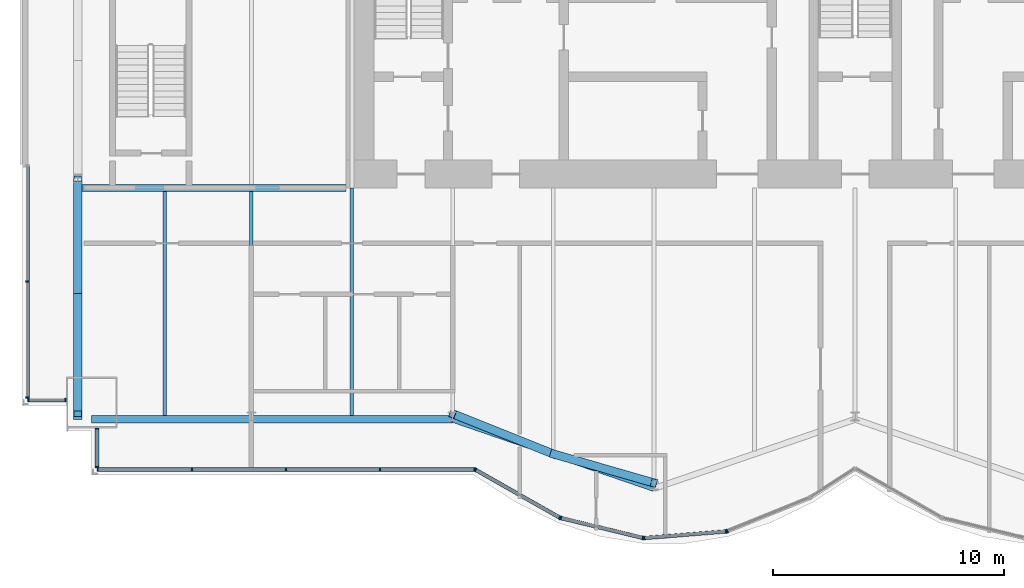
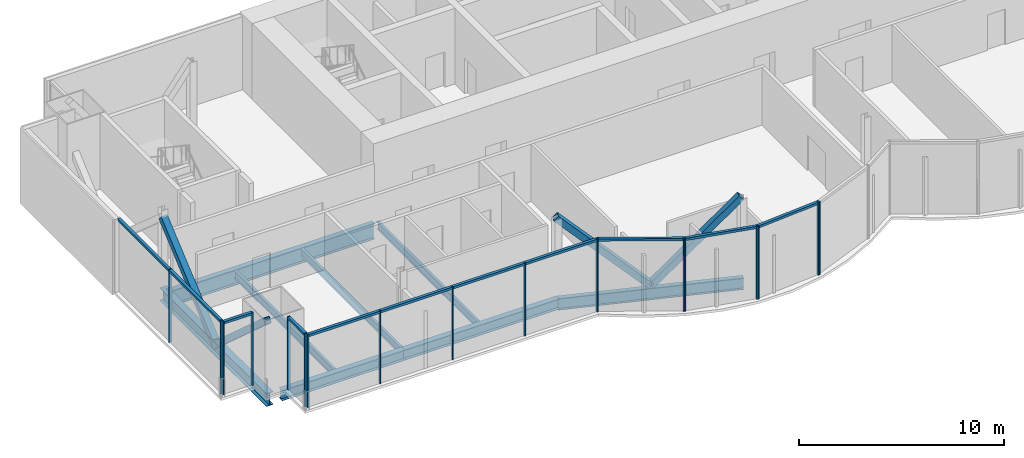
# One storey, part 3 of 16: 33 members, 8 beams, 5 elements without a shape of their own.
"""IFC4 building model written with IfcOpenShell, lengths in metres."""

from ifc_helpers import new_model, si_unit, direction, frame, origin, origin_2d, place, context, subcontext, project, spatial, rectangle, hollow_rectangle, i_section, extrude, material, material_profile, profile_set, type_object, element, aggregate, save


model = new_model("IFC4")

# Units and contexts
model_context = context("Model", 3, precision=1e-05, world=origin(), true_north=direction((0.0, 1.0)))
body_context = subcontext(model_context, "Body", "Model", "MODEL_VIEW")
ifc_project = project(units=[si_unit("LENGTHUNIT", "METRE"), si_unit("AREAUNIT", "SQUARE_METRE"), si_unit("VOLUMEUNIT", "CUBIC_METRE"), si_unit("PLANEANGLEUNIT", "RADIAN"), si_unit("MASSUNIT", "GRAM", prefix="KILO")], contexts=[model_context])

# Site, building, storey
site_placement = place(None, origin())
site = spatial("IfcSite", under=ifc_project, at=site_placement, CompositionType="ELEMENT")
building_placement = place(site_placement, origin())
building = spatial("IfcBuilding", under=site, at=building_placement, Name="Bicima Exchange Tower", CompositionType="ELEMENT")
storey_placement = place(building_placement, frame((0.0, 0.0, 329.0)))
storey = spatial("IfcBuildingStorey", under=building, at=storey_placement, Name="L74", CompositionType="ELEMENT", Elevation=329.0)

# Beam
ifc_material_1 = material(Name="Steel ASTM A992 Gr 50", Category="steel")
ifc_material_profile_1 = material_profile(ifc_material_1, i_section(OverallWidth=0.3046875, OverallDepth=0.911865234375, WebThickness=0.015869140625, FlangeThickness=0.02392578125, at=origin_2d()))
ifc_profile_set_1 = profile_set([ifc_material_profile_1], Name="Steel ASTM A992 Gr 50")
beam_type_1 = type_object("IfcBeamType", Name="Core-line girder W36x150", PredefinedType="BEAM", material=ifc_profile_set_1)
beam_1_placement = place(storey_placement, frame((-22.0, -13.0, -0.60595703125), z_axis=(-1.0, 0.0, 0.0), x_axis=(0.0, -1.0, 0.0)))
element("IfcBeam", 1, at=beam_1_placement, inside=storey, type_object=beam_type_1, Name="Core-line girder", PredefinedType="BEAM", context=body_context, shape_type="SweptSolid", body=[
    extrude(i_section(OverallWidth=0.3046875, OverallDepth=0.911865234375, WebThickness=0.015869140625, FlangeThickness=0.02392578125, at=origin_2d()), origin(), (0.0, 0.0, 1.0), 11.60009765625),
])

# Curtain wall, members
ifc_material_2 = material(Name="Anodised bronze aluminium", Category="aluminium")
curtain_wall_type_1 = type_object("IfcCurtainWallType", Name="End face glass wall", PredefinedType="NOTDEFINED", material=ifc_material_2)
curtain_wall_1_placement = place(storey_placement, origin())
curtain_wall_1 = element("IfcCurtainWall", 2, at=curtain_wall_1_placement, inside=storey, type_object=curtain_wall_type_1, Name="End face glass wall L74 run 2", PredefinedType="NOTDEFINED")
ifc_material_profile_2 = material_profile(ifc_material_2, rectangle(XDim=0.159912109375, YDim=0.06005859375, at=origin_2d()))
ifc_profile_set_2 = profile_set([ifc_material_profile_2], Name="Anodised bronze aluminium")
member_type_1 = type_object("IfcMemberType", Name="End face glass wall mullion 60 x 160", PredefinedType="MULLION", material=ifc_profile_set_2)
member_1_placement = place(storey_placement, frame((-35.77001953125, -17.049072265625, 0.0), z_axis=(0.0, 0.0, 1.0), x_axis=(1.0, 0.0, 0.0)))
member_1 = element("IfcMember", 3, at=member_1_placement, type_object=member_type_1, Name="End face glass wall mullion 2", PredefinedType="MULLION", context=body_context, shape_type="SweptSolid", body=[
    extrude(rectangle(XDim=0.159912109375, YDim=0.06005859375, at=origin_2d()), origin(), (0.0, 0.0, 1.0), 4.35009765625),
])
member_2_placement = place(storey_placement, frame((-35.77001953125, -22.068115234375, 0.0), z_axis=(0.0, 0.0, 1.0), x_axis=(1.0, 0.0, 0.0)))
member_2 = element("IfcMember", 4, at=member_2_placement, type_object=member_type_1, Name="End face glass wall mullion 3", PredefinedType="MULLION", context=body_context, shape_type="SweptSolid", body=[
    extrude(rectangle(XDim=0.159912109375, YDim=0.06005859375, at=origin_2d()), origin(), (0.0, 0.0, 1.0), 4.35009765625),
])
ifc_material_profile_3 = material_profile(ifc_material_2, rectangle(XDim=0.159912109375, YDim=0.139892578125, at=origin_2d()))
ifc_profile_set_3 = profile_set([ifc_material_profile_3], Name="Anodised bronze aluminium")
member_type_2 = type_object("IfcMemberType", Name="End face glass wall transom 140 x 160", PredefinedType="USERDEFINED", material=ifc_profile_set_3)
member_3_placement = place(storey_placement, frame((-35.77001953125, -12.06005859375, 4.280029296875), z_axis=(0.0, -1.0, 0.0), x_axis=(1.0, 0.0, 0.0)))
member_3 = element("IfcMember", 5, at=member_3_placement, type_object=member_type_2, Name="End face glass wall transom 1.1", ObjectType="TRANSOM", PredefinedType="USERDEFINED", context=body_context, shape_type="SweptSolid", body=[
    extrude(rectangle(XDim=0.159912109375, YDim=0.139892578125, at=origin_2d()), origin(), (0.0, 0.0, 1.0), 4.958984375),
])
member_4_placement = place(storey_placement, frame((-35.77001953125, -17.0791015625, 4.280029296875), z_axis=(0.0, -1.0, 0.0), x_axis=(1.0, 0.0, 0.0)))
member_4 = element("IfcMember", 6, at=member_4_placement, type_object=member_type_2, Name="End face glass wall transom 2.1", ObjectType="TRANSOM", PredefinedType="USERDEFINED", context=body_context, shape_type="SweptSolid", body=[
    extrude(rectangle(XDim=0.159912109375, YDim=0.139892578125, at=origin_2d()), origin(), (0.0, 0.0, 1.0), 4.958984375),
])
aggregate(curtain_wall_1, [member_1, member_2, member_3, member_4])

# Beams
ifc_material_profile_4 = material_profile(ifc_material_1, i_section(OverallWidth=0.381103515625, OverallDepth=0.772216796875, WebThickness=0.0166015625, FlangeThickness=0.027099609375, at=origin_2d()))
ifc_profile_set_4 = profile_set([ifc_material_profile_4], Name="Steel ASTM A992 Gr 50")
beam_type_2 = type_object("IfcBeamType", Name="End girder W30x173", PredefinedType="BEAM", material=ifc_profile_set_4)
beam_2_placement = place(storey_placement, frame((-33.60009765625, -12.60009765625, -0.5361328125), z_axis=(0.0, -1.0, 0.0), x_axis=(1.0, 0.0, 0.0)))
element("IfcBeam", 7, at=beam_2_placement, inside=storey, type_object=beam_type_2, Name="End girder", PredefinedType="BEAM", context=body_context, shape_type="SweptSolid", body=[
    extrude(i_section(OverallWidth=0.381103515625, OverallDepth=0.772216796875, WebThickness=0.0166015625, FlangeThickness=0.027099609375, at=origin_2d()), origin(), (0.0, 0.0, 1.0), 10.407958984375),
])
ifc_material_profile_5 = material_profile(ifc_material_1, i_section(OverallWidth=0.15283203125, OverallDepth=0.45458984375, WebThickness=0.008056640625, FlangeThickness=0.013427734375, at=origin_2d()))
ifc_profile_set_5 = profile_set([ifc_material_profile_5], Name="Steel ASTM A992 Gr 50")
beam_type_3 = type_object("IfcBeamType", Name="Floor beam W18x40", PredefinedType="JOIST", material=ifc_profile_set_5)
for number, where, z_axis, x_axis, name in (
    (8, (-29.85009765625, -13.15234375, -0.377197265625), (0.0, -1.0, 0.0), (1.0, 0.0, 0.0), "Floor beam"),
    (9, (-26.10009765625, -13.15234375, -0.377197265625), (0.0, -1.0, 0.0), (1.0, 0.0, 0.0), "Floor beam"),
):
    element("IfcBeam", number, at=place(storey_placement, frame(where, z_axis=z_axis, x_axis=x_axis)), inside=storey, type_object=beam_type_3, Name=name, PredefinedType="JOIST", context=body_context, shape_type="SweptSolid", body=[
        extrude(i_section(OverallWidth=0.15283203125, OverallDepth=0.45458984375, WebThickness=0.008056640625, FlangeThickness=0.013427734375, at=origin_2d()), origin(), (0.0, 0.0, 1.0), 9.693115234375),
    ])
beam_3_placement = place(storey_placement, frame((-21.75, -13.0, -0.377197265625), z_axis=(0.0, -1.0, 0.0), x_axis=(1.0, 0.0, 0.0)))
element("IfcBeam", 10, at=beam_3_placement, inside=storey, type_object=beam_type_3, Name="Floor beam", PredefinedType="JOIST", context=body_context, shape_type="SweptSolid", body=[
    extrude(i_section(OverallWidth=0.15283203125, OverallDepth=0.45458984375, WebThickness=0.008056640625, FlangeThickness=0.013427734375, at=origin_2d()), origin(), (0.0, 0.0, 1.0), 9.845458984375),
])
ifc_material_profile_6 = material_profile(ifc_material_1, i_section(OverallWidth=0.3251953125, OverallDepth=0.612060546875, WebThickness=0.0126953125, FlangeThickness=0.01904296875, at=origin_2d()))
ifc_profile_set_6 = profile_set([ifc_material_profile_6], Name="Steel ASTM A992 Gr 50")
beam_type_4 = type_object("IfcBeamType", Name="Front girder W24x104", PredefinedType="BEAM", material=ifc_profile_set_6)
beam_4_placement = place(storey_placement, frame((-33.0, -23.008056640625, -0.4560546875), z_axis=(1.0, 0.0, 0.0), x_axis=(0.0, 1.0, 0.0)))
element("IfcBeam", 11, at=beam_4_placement, inside=storey, type_object=beam_type_4, Name="Front girder", PredefinedType="BEAM", context=body_context, shape_type="SweptSolid", body=[
    extrude(i_section(OverallWidth=0.3251953125, OverallDepth=0.612060546875, WebThickness=0.0126953125, FlangeThickness=0.01904296875, at=origin_2d()), origin(), (0.0, 0.0, 1.0), 6.89990234375),
])
beam_5_placement = place(storey_placement, frame((-26.10009765625, -23.008056640625, -0.4560546875), z_axis=(1.0, 0.0, 0.0), x_axis=(0.0, 1.0, 0.0)))
element("IfcBeam", 12, at=beam_5_placement, inside=storey, type_object=beam_type_4, Name="Front girder", PredefinedType="BEAM", context=body_context, shape_type="SweptSolid", body=[
    extrude(i_section(OverallWidth=0.3251953125, OverallDepth=0.612060546875, WebThickness=0.0126953125, FlangeThickness=0.01904296875, at=origin_2d()), origin(), (0.0, 0.0, 1.0), 8.7001953125),
])
ifc_material_profile_7 = material_profile(ifc_material_1, i_section(OverallWidth=0.256591796875, OverallDepth=0.693359375, WebThickness=0.014404296875, FlangeThickness=0.023681640625, at=origin_2d()))
ifc_profile_set_7 = profile_set([ifc_material_profile_7], Name="Steel ASTM A992 Gr 50")
beam_type_5 = type_object("IfcBeamType", Name="Front girder W27x114", PredefinedType="BEAM", material=ifc_profile_set_7)
beam_6_placement = place(storey_placement, frame((-17.39990234375, -23.008056640625, -0.49658203125), z_axis=(0.945674616091, -0.32511462668, 0.0), x_axis=(0.32511462668, 0.945674616091, 0.0)))
element("IfcBeam", 13, at=beam_6_placement, inside=storey, type_object=beam_type_5, Name="Front girder", PredefinedType="BEAM", context=body_context, shape_type="SweptSolid", body=[
    extrude(i_section(OverallWidth=0.256591796875, OverallDepth=0.693359375, WebThickness=0.014404296875, FlangeThickness=0.023681640625, at=origin_2d()), origin(), (0.0, 0.0, 1.0), 9.19970703125),
])

# Curtain wall, members
curtain_wall_type_2 = type_object("IfcCurtainWallType", Name="Front glass wall", PredefinedType="NOTDEFINED", material=ifc_material_2)
curtain_wall_2_placement = place(storey_placement, origin())
curtain_wall_2 = element("IfcCurtainWall", 14, at=curtain_wall_2_placement, inside=storey, type_object=curtain_wall_type_2, Name="Front glass wall L74 run 3", PredefinedType="NOTDEFINED")
member_type_3 = type_object("IfcMemberType", Name="Front glass wall mullion 60 x 160", PredefinedType="MULLION", material=ifc_profile_set_2)
member_5_placement = place(storey_placement, frame((-35.739990234375, -22.177978515625, 0.0), z_axis=(0.0, 0.0, 1.0), x_axis=(0.0, 1.0, 0.0)))
member_5 = element("IfcMember", 15, at=member_5_placement, type_object=member_type_3, Name="Front glass wall mullion 1", PredefinedType="MULLION", context=body_context, shape_type="SweptSolid", body=[
    extrude(rectangle(XDim=0.159912109375, YDim=0.06005859375, at=origin_2d()), origin(), (0.0, 0.0, 1.0), 4.35009765625),
])
member_6_placement = place(storey_placement, frame((-34.1298828125, -22.177978515625, 0.0), z_axis=(0.0, 0.0, 1.0), x_axis=(0.0, 1.0, 0.0)))
member_6 = element("IfcMember", 16, at=member_6_placement, type_object=member_type_3, Name="Front glass wall mullion 2", PredefinedType="MULLION", context=body_context, shape_type="SweptSolid", body=[
    extrude(rectangle(XDim=0.159912109375, YDim=0.06005859375, at=origin_2d()), origin(), (0.0, 0.0, 1.0), 4.35009765625),
])

curtain_wall_3_placement = place(storey_placement, origin())
curtain_wall_3 = element("IfcCurtainWall", 17, at=curtain_wall_3_placement, inside=storey, type_object=curtain_wall_type_2, Name="Front glass wall L74 run 4", PredefinedType="NOTDEFINED")
member_7_placement = place(storey_placement, frame((-32.77001953125, -23.416015625, 0.0), z_axis=(0.0, 0.0, 1.0), x_axis=(1.0, 0.0, 0.0)))
member_7 = element("IfcMember", 18, at=member_7_placement, type_object=member_type_3, Name="Front glass wall mullion 1", PredefinedType="MULLION", context=body_context, shape_type="SweptSolid", body=[
    extrude(rectangle(XDim=0.159912109375, YDim=0.06005859375, at=origin_2d()), origin(), (0.0, 0.0, 1.0), 4.35009765625),
])
member_8_placement = place(storey_placement, frame((-32.77001953125, -25.068115234375, 0.0), z_axis=(0.0, 0.0, 1.0), x_axis=(1.0, 0.0, 0.0)))
member_8 = element("IfcMember", 19, at=member_8_placement, type_object=member_type_3, Name="Front glass wall mullion 2", PredefinedType="MULLION", context=body_context, shape_type="SweptSolid", body=[
    extrude(rectangle(XDim=0.159912109375, YDim=0.06005859375, at=origin_2d()), origin(), (0.0, 0.0, 1.0), 4.35009765625),
])

curtain_wall_4_placement = place(storey_placement, origin())
curtain_wall_4 = element("IfcCurtainWall", 20, at=curtain_wall_4_placement, inside=storey, type_object=curtain_wall_type_2, Name="Front glass wall L74 run 5", PredefinedType="NOTDEFINED")
member_9_placement = place(storey_placement, frame((-32.739990234375, -25.177978515625, 0.0), z_axis=(0.0, 0.0, 1.0), x_axis=(0.0, 1.0, 0.0)))
member_9 = element("IfcMember", 21, at=member_9_placement, type_object=member_type_3, Name="Front glass wall mullion 1", PredefinedType="MULLION", context=body_context, shape_type="SweptSolid", body=[
    extrude(rectangle(XDim=0.159912109375, YDim=0.06005859375, at=origin_2d()), origin(), (0.0, 0.0, 1.0), 4.35009765625),
])
member_10_placement = place(storey_placement, frame((-28.67041015625, -25.177978515625, 0.0), z_axis=(0.0, 0.0, 1.0), x_axis=(0.0, 1.0, 0.0)))
member_10 = element("IfcMember", 22, at=member_10_placement, type_object=member_type_3, Name="Front glass wall mullion 2", PredefinedType="MULLION", context=body_context, shape_type="SweptSolid", body=[
    extrude(rectangle(XDim=0.159912109375, YDim=0.06005859375, at=origin_2d()), origin(), (0.0, 0.0, 1.0), 4.35009765625),
])
member_11_placement = place(storey_placement, frame((-24.60107421875, -25.177978515625, 0.0), z_axis=(0.0, 0.0, 1.0), x_axis=(0.0, 1.0, 0.0)))
member_11 = element("IfcMember", 23, at=member_11_placement, type_object=member_type_3, Name="Front glass wall mullion 3", PredefinedType="MULLION", context=body_context, shape_type="SweptSolid", body=[
    extrude(rectangle(XDim=0.159912109375, YDim=0.06005859375, at=origin_2d()), origin(), (0.0, 0.0, 1.0), 4.35009765625),
])
member_12_placement = place(storey_placement, frame((-20.531494140625, -25.177978515625, 0.0), z_axis=(0.0, 0.0, 1.0), x_axis=(0.0, 1.0, 0.0)))
member_12 = element("IfcMember", 24, at=member_12_placement, type_object=member_type_3, Name="Front glass wall mullion 4", PredefinedType="MULLION", context=body_context, shape_type="SweptSolid", body=[
    extrude(rectangle(XDim=0.159912109375, YDim=0.06005859375, at=origin_2d()), origin(), (0.0, 0.0, 1.0), 4.35009765625),
])
member_13_placement = place(storey_placement, frame((-16.462158203125, -25.177978515625, 0.0), z_axis=(0.0, 0.0, 1.0), x_axis=(0.0, 1.0, 0.0)))
member_13 = element("IfcMember", 25, at=member_13_placement, type_object=member_type_3, Name="Front glass wall mullion 5", PredefinedType="MULLION", context=body_context, shape_type="SweptSolid", body=[
    extrude(rectangle(XDim=0.159912109375, YDim=0.06005859375, at=origin_2d()), origin(), (0.0, 0.0, 1.0), 4.35009765625),
])

curtain_wall_5_placement = place(storey_placement, origin())
curtain_wall_5 = element("IfcCurtainWall", 26, at=curtain_wall_5_placement, inside=storey, type_object=curtain_wall_type_2, Name="Front glass wall L74 run 6", PredefinedType="NOTDEFINED")
member_14_placement = place(storey_placement, frame((-16.406005859375, -25.19287109375, 0.0), z_axis=(0.0, 0.0, 1.0), x_axis=(0.493395449343, 0.869805110681, 0.0)))
member_14 = element("IfcMember", 27, at=member_14_placement, type_object=member_type_3, Name="Front glass wall mullion 1", PredefinedType="MULLION", context=body_context, shape_type="SweptSolid", body=[
    extrude(rectangle(XDim=0.159912109375, YDim=0.06005859375, at=origin_2d()), origin(), (0.0, 0.0, 1.0), 4.35009765625),
])
member_15_placement = place(storey_placement, frame((-12.7734375, -27.25341796875, 0.0), z_axis=(0.0, 0.0, 1.0), x_axis=(0.493395449343, 0.869805110681, 0.0)))
member_15 = element("IfcMember", 28, at=member_15_placement, type_object=member_type_3, Name="Front glass wall mullion 2", PredefinedType="MULLION", context=body_context, shape_type="SweptSolid", body=[
    extrude(rectangle(XDim=0.159912109375, YDim=0.06005859375, at=origin_2d()), origin(), (0.0, 0.0, 1.0), 4.35009765625),
])
member_16_placement = place(storey_placement, frame((-12.718017578125, -27.275390625, 0.0), z_axis=(0.0, 0.0, 1.0), x_axis=(0.235681529503, 0.971830343553, 0.0)))
member_16 = element("IfcMember", 29, at=member_16_placement, type_object=member_type_3, Name="Front glass wall mullion 1", PredefinedType="MULLION", context=body_context, shape_type="SweptSolid", body=[
    extrude(rectangle(XDim=0.159912109375, YDim=0.06005859375, at=origin_2d()), origin(), (0.0, 0.0, 1.0), 4.35009765625),
])
member_17_placement = place(storey_placement, frame((-9.177490234375, -28.1337890625, 0.0), z_axis=(0.0, 0.0, 1.0), x_axis=(0.235681529503, 0.971830343553, 0.0)))
member_17 = element("IfcMember", 30, at=member_17_placement, type_object=member_type_3, Name="Front glass wall mullion 2", PredefinedType="MULLION", context=body_context, shape_type="SweptSolid", body=[
    extrude(rectangle(XDim=0.159912109375, YDim=0.06005859375, at=origin_2d()), origin(), (0.0, 0.0, 1.0), 4.35009765625),
])
member_18_placement = place(storey_placement, frame((-9.118408203125, -28.138671875, 0.0), z_axis=(0.0, 0.0, 1.0), x_axis=(-0.080588612633, 0.99674744821, 0.0)))
member_18 = element("IfcMember", 31, at=member_18_placement, type_object=member_type_3, Name="Front glass wall mullion 1", PredefinedType="MULLION", context=body_context, shape_type="SweptSolid", body=[
    extrude(rectangle(XDim=0.159912109375, YDim=0.06005859375, at=origin_2d()), origin(), (0.0, 0.0, 1.0), 4.35009765625),
])
member_19_placement = place(storey_placement, frame((-5.583984375, -27.852783203125, 0.0), z_axis=(0.0, 0.0, 1.0), x_axis=(-0.080588612633, 0.99674744821, 0.0)))
member_19 = element("IfcMember", 32, at=member_19_placement, type_object=member_type_3, Name="Front glass wall mullion 2", PredefinedType="MULLION", context=body_context, shape_type="SweptSolid", body=[
    extrude(rectangle(XDim=0.159912109375, YDim=0.06005859375, at=origin_2d()), origin(), (0.0, 0.0, 1.0), 4.35009765625),
])
member_20_placement = place(storey_placement, frame((-5.526123046875, -27.839111328125, 0.0), z_axis=(0.0, 0.0, 1.0), x_axis=(-0.374705304, 0.92714396679, 0.0)))
member_20 = element("IfcMember", 33, at=member_20_placement, type_object=member_type_3, Name="Front glass wall mullion 1", PredefinedType="MULLION", context=body_context, shape_type="SweptSolid", body=[
    extrude(rectangle(XDim=0.159912109375, YDim=0.06005859375, at=origin_2d()), origin(), (0.0, 0.0, 1.0), 4.35009765625),
])

# Member
member_type_4 = type_object("IfcMemberType", Name="Front glass wall transom 140 x 160", PredefinedType="USERDEFINED", material=ifc_profile_set_3)
member_21_placement = place(storey_placement, frame((-35.7099609375, -22.177978515625, 4.280029296875), z_axis=(1.0, 0.0, 0.0), x_axis=(0.0, 1.0, 0.0)))
member_21 = element("IfcMember", 34, at=member_21_placement, type_object=member_type_4, Name="Front glass wall transom 1.1", ObjectType="TRANSOM", PredefinedType="USERDEFINED", context=body_context, shape_type="SweptSolid", body=[
    extrude(rectangle(XDim=0.159912109375, YDim=0.139892578125, at=origin_2d()), origin(), (0.0, 0.0, 1.0), 1.550048828125),
])

aggregate(curtain_wall_2, [member_5, member_6, member_21])

member_22_placement = place(storey_placement, frame((-32.77001953125, -23.446044921875, 4.280029296875), z_axis=(0.0, -1.0, 0.0), x_axis=(1.0, 0.0, 0.0)))
member_22 = element("IfcMember", 35, at=member_22_placement, type_object=member_type_4, Name="Front glass wall transom 1.1", ObjectType="TRANSOM", PredefinedType="USERDEFINED", context=body_context, shape_type="SweptSolid", body=[
    extrude(rectangle(XDim=0.159912109375, YDim=0.139892578125, at=origin_2d()), origin(), (0.0, 0.0, 1.0), 1.592041015625),
])

aggregate(curtain_wall_3, [member_7, member_8, member_22])

member_23_placement = place(storey_placement, frame((-32.7099609375, -25.177978515625, 4.280029296875), z_axis=(1.0, 0.0, 0.0), x_axis=(0.0, 1.0, 0.0)))
member_23 = element("IfcMember", 36, at=member_23_placement, type_object=member_type_4, Name="Front glass wall transom 1.1", ObjectType="TRANSOM", PredefinedType="USERDEFINED", context=body_context, shape_type="SweptSolid", body=[
    extrude(rectangle(XDim=0.159912109375, YDim=0.139892578125, at=origin_2d()), origin(), (0.0, 0.0, 1.0), 4.009521484375),
])

member_24_placement = place(storey_placement, frame((-28.640380859375, -25.177978515625, 4.280029296875), z_axis=(1.0, 0.0, 0.0), x_axis=(0.0, 1.0, 0.0)))
member_24 = element("IfcMember", 37, at=member_24_placement, type_object=member_type_4, Name="Front glass wall transom 2.1", ObjectType="TRANSOM", PredefinedType="USERDEFINED", context=body_context, shape_type="SweptSolid", body=[
    extrude(rectangle(XDim=0.159912109375, YDim=0.139892578125, at=origin_2d()), origin(), (0.0, 0.0, 1.0), 4.00927734375),
])

member_25_placement = place(storey_placement, frame((-24.571044921875, -25.177978515625, 4.280029296875), z_axis=(1.0, 0.0, 0.0), x_axis=(0.0, 1.0, 0.0)))
member_25 = element("IfcMember", 38, at=member_25_placement, type_object=member_type_4, Name="Front glass wall transom 3.1", ObjectType="TRANSOM", PredefinedType="USERDEFINED", context=body_context, shape_type="SweptSolid", body=[
    extrude(rectangle(XDim=0.159912109375, YDim=0.139892578125, at=origin_2d()), origin(), (0.0, 0.0, 1.0), 4.009521484375),
])

member_26_placement = place(storey_placement, frame((-20.501708984375, -25.177978515625, 4.280029296875), z_axis=(1.0, 0.0, 0.0), x_axis=(0.0, 1.0, 0.0)))
member_26 = element("IfcMember", 39, at=member_26_placement, type_object=member_type_4, Name="Front glass wall transom 4.1", ObjectType="TRANSOM", PredefinedType="USERDEFINED", context=body_context, shape_type="SweptSolid", body=[
    extrude(rectangle(XDim=0.159912109375, YDim=0.139892578125, at=origin_2d()), origin(), (0.0, 0.0, 1.0), 4.009521484375),
])

aggregate(curtain_wall_4, [member_9, member_10, member_11, member_12, member_13, member_23, member_24, member_25, member_26])

member_27_placement = place(storey_placement, frame((-16.3798828125, -25.20751953125, 4.280029296875), z_axis=(0.869797371721, -0.49340909208, 0.0), x_axis=(0.49340909208, 0.869797371721, 0.0)))
member_27 = element("IfcMember", 40, at=member_27_placement, type_object=member_type_4, Name="Front glass wall transom 1.1", ObjectType="TRANSOM", PredefinedType="USERDEFINED", context=body_context, shape_type="SweptSolid", body=[
    extrude(rectangle(XDim=0.159912109375, YDim=0.139892578125, at=origin_2d()), origin(), (0.0, 0.0, 1.0), 4.1162109375),
])

member_28_placement = place(storey_placement, frame((-12.68896484375, -27.2822265625, 4.280029296875), z_axis=(0.971817951661, -0.235732621477, 0.0), x_axis=(0.235732621477, 0.971817951661, 0.0)))
member_28 = element("IfcMember", 41, at=member_28_placement, type_object=member_type_4, Name="Front glass wall transom 1.1", ObjectType="TRANSOM", PredefinedType="USERDEFINED", context=body_context, shape_type="SweptSolid", body=[
    extrude(rectangle(XDim=0.159912109375, YDim=0.139892578125, at=origin_2d()), origin(), (0.0, 0.0, 1.0), 3.58349609375),
])

member_29_placement = place(storey_placement, frame((-9.08837890625, -28.13623046875, 4.280029296875), z_axis=(0.9967456465, 0.080610893699, 0.0), x_axis=(-0.080610893699, 0.9967456465, 0.0)))
member_29 = element("IfcMember", 42, at=member_29_placement, type_object=member_type_4, Name="Front glass wall transom 1.1", ObjectType="TRANSOM", PredefinedType="USERDEFINED", context=body_context, shape_type="SweptSolid", body=[
    extrude(rectangle(XDim=0.159912109375, YDim=0.139892578125, at=origin_2d()), origin(), (0.0, 0.0, 1.0), 3.48583984375),
])

aggregate(curtain_wall_5, [member_14, member_15, member_27, member_16, member_17, member_28, member_18, member_19, member_29, member_20])

# Members
ifc_material_3 = material(Name="Steel ASTM A572 Gr 50", Category="steel")
ifc_material_profile_8 = material_profile(ifc_material_3, hollow_rectangle(XDim=0.355712890625, YDim=0.355712890625, WallThickness=0.01171875, at=origin_2d()))
ifc_profile_set_8 = profile_set([ifc_material_profile_8], Name="Steel ASTM A572 Gr 50")
member_type_5 = type_object("IfcMemberType", Name="Mega brace HSS14x14x1/2", PredefinedType="BRACE", material=ifc_profile_set_8)
member_30_placement = place(storey_placement, frame((-13.050048828125, -24.50341796875, 0.0), z_axis=(0.681534473108, -0.196106591291, 0.705019834343), x_axis=(0.276522876258, 0.961007335511, 0.0)))
element("IfcMember", 43, at=member_30_placement, inside=storey, type_object=member_type_5, Name="Mega brace front", PredefinedType="BRACE", context=body_context, shape_type="SweptSolid", body=[
    extrude(hollow_rectangle(XDim=0.355712890625, YDim=0.355712890625, WallThickness=0.01171875, at=origin_2d()), origin(), (0.0, 0.0, 1.0), 6.3828125),
])
member_31_placement = place(storey_placement, frame((-13.050048828125, -24.50341796875, 0.0), z_axis=(-0.669627633412, 0.267783402821, 0.692741569234), x_axis=(-0.371309808925, -0.928509033772, 0.0)))
element("IfcMember", 44, at=member_31_placement, inside=storey, type_object=member_type_5, Name="Mega brace front", PredefinedType="BRACE", context=body_context, shape_type="SweptSolid", body=[
    extrude(hollow_rectangle(XDim=0.355712890625, YDim=0.355712890625, WallThickness=0.01171875, at=origin_2d()), origin(), (0.0, 0.0, 1.0), 6.495849609375),
])
member_32_placement = place(storey_placement, frame((-33.60009765625, -17.681884765625, -0.5361328125), z_axis=(0.0, -0.745790162236, 0.666180931813), x_axis=(1.0, 0.0, 0.0)))
element("IfcMember", 45, at=member_32_placement, inside=storey, type_object=member_type_5, Name="Mega brace west end", PredefinedType="BRACE", context=body_context, shape_type="SweptSolid", body=[
    extrude(hollow_rectangle(XDim=0.355712890625, YDim=0.355712890625, WallThickness=0.01171875, at=origin_2d()), origin(), (0.0, 0.0, 1.0), 6.814208984375),
])
member_33_placement = place(storey_placement, frame((-33.60009765625, -17.926025390625, -0.5361328125), z_axis=(0.0, 0.761056313036, 0.648685816392), x_axis=(-1.0, 0.0, 0.0)))
element("IfcMember", 46, at=member_33_placement, inside=storey, type_object=member_type_5, Name="Mega brace west end", PredefinedType="BRACE", context=body_context, shape_type="SweptSolid", body=[
    extrude(hollow_rectangle(XDim=0.355712890625, YDim=0.355712890625, WallThickness=0.01171875, at=origin_2d()), origin(), (0.0, 0.0, 1.0), 6.998046875),
])

save(model, "model.ifc")
